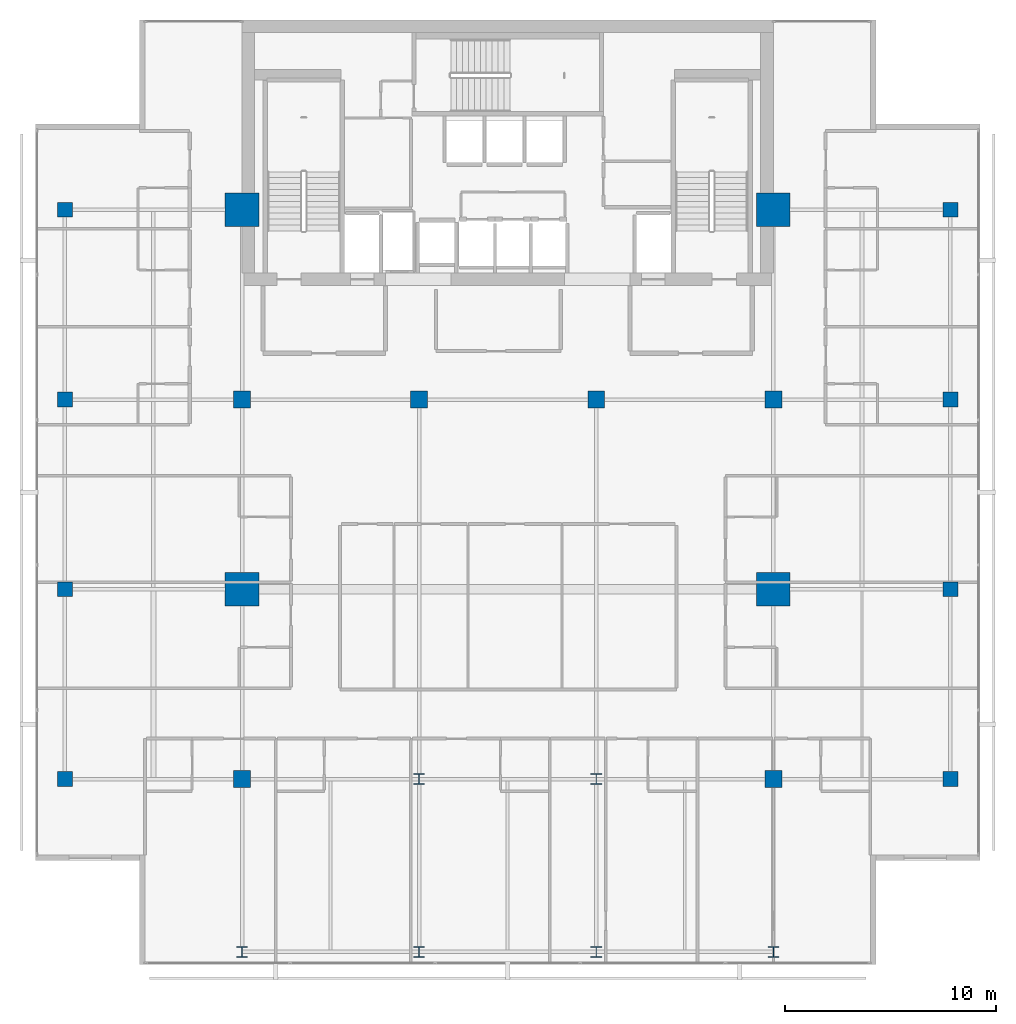
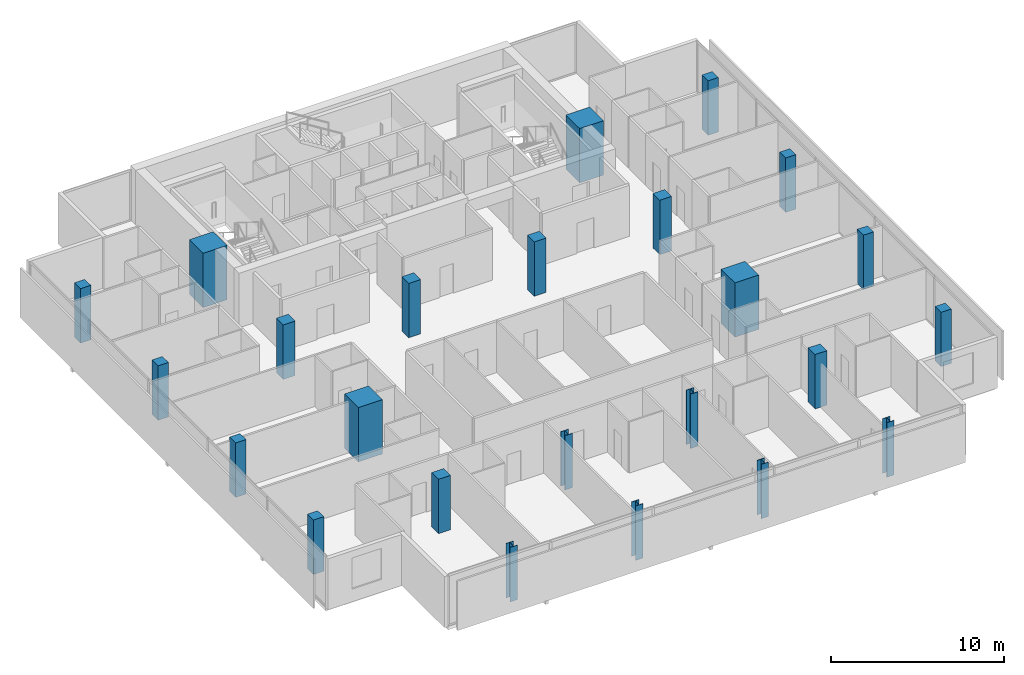
# One storey, part 1 of 26: 24 columns.
"""IFC4 building model written with IfcOpenShell, lengths in metres."""

from ifc_helpers import new_model, si_unit, direction, frame, origin, origin_2d, place, context, subcontext, project, spatial, rectangle, i_section, extrude, material, material_profile, profile_set, type_object, element, save


model = new_model("IFC4")

# Units and contexts
model_context = context("Model", 3, precision=1e-05, world=origin(), true_north=direction((0.0, 1.0)))
body_context = subcontext(model_context, "Body", "Model", "MODEL_VIEW")
ifc_project = project(units=[si_unit("LENGTHUNIT", "METRE"), si_unit("AREAUNIT", "SQUARE_METRE"), si_unit("VOLUMEUNIT", "CUBIC_METRE"), si_unit("PLANEANGLEUNIT", "RADIAN"), si_unit("MASSUNIT", "GRAM", prefix="KILO")], contexts=[model_context])

# Site, building, storey
site_placement = place(None, origin())
site = spatial("IfcSite", under=ifc_project, at=site_placement, CompositionType="ELEMENT")
building_placement = place(site_placement, origin())
building = spatial("IfcBuilding", under=site, at=building_placement, Name="Maruvema Waterfront Hotel and Observation Tower", CompositionType="ELEMENT")
storey_placement = place(building_placement, frame((0.0, 0.0, 293.300048828125)))
storey = spatial("IfcBuildingStorey", under=building, at=storey_placement, Name="L72", CompositionType="ELEMENT", Elevation=293.300048828125)

# Columns
ifc_material_1 = material(Name="Concrete C70/85", Category="concrete")
ifc_material_profile_1 = material_profile(ifc_material_1, rectangle(XDim=1.60009765625, YDim=1.60009765625, at=origin_2d()), Name="MC1600x1600")
ifc_profile_set_1 = profile_set([ifc_material_profile_1], Name="Concrete C70/85")
column_type_1 = type_object("IfcColumnType", Name="Continuous Mega-Column MC1600x1600", PredefinedType="COLUMN", material=ifc_profile_set_1)
for number, where, z_axis, x_axis, name in (
    (1, (25.199951171875, 27.0, 0.0), (0.0, 0.0, 1.0), (1.0, 0.0, 0.0), "L72 Continuous Mega-Column MC-01"),
    (2, (50.39990234375, 27.0, 0.0), (0.0, 0.0, 1.0), (1.0, 0.0, 0.0), "L72 Continuous Mega-Column MC-02"),
    (3, (25.199951171875, 45.0, 0.0), (0.0, 0.0, 1.0), (1.0, 0.0, 0.0), "L72 Continuous Mega-Column MC-03"),
    (4, (50.39990234375, 45.0, 0.0), (0.0, 0.0, 1.0), (1.0, 0.0, 0.0), "L72 Continuous Mega-Column MC-04"),
):
    element("IfcColumn", number, at=place(storey_placement, frame(where, z_axis=z_axis, x_axis=x_axis)), inside=storey, type_object=column_type_1, Name=name, PredefinedType="COLUMN", context=body_context, shape_type="SweptSolid", body=[
        extrude(rectangle(XDim=1.60009765625, YDim=1.60009765625, at=origin_2d()), origin(), (0.0, 0.0, 1.0), 3.849853515625),
    ])
ifc_material_2 = material(Name="Concrete C60/75", Category="concrete")
ifc_material_profile_2 = material_profile(ifc_material_2, rectangle(XDim=0.699951171875, YDim=0.699951171875, at=origin_2d()), Name="RC700x700")
ifc_profile_set_2 = profile_set([ifc_material_profile_2], Name="Concrete C60/75")
column_type_2 = type_object("IfcColumnType", Name="Reinforced Concrete Column RC700x700", PredefinedType="COLUMN", material=ifc_profile_set_2)
for number, where, z_axis, x_axis, name in (
    (5, (16.800048828125, 18.0, 0.0), (0.0, 0.0, 1.0), (1.0, 0.0, 0.0), "L72 Column C-3Y18"),
    (6, (58.800048828125, 18.0, 0.0), (0.0, 0.0, 1.0), (1.0, 0.0, 0.0), "L72 Column C-8Y18"),
    (7, (16.800048828125, 27.0, 0.0), (0.0, 0.0, 1.0), (1.0, 0.0, 0.0), "L72 Column C-3Y27"),
    (8, (58.800048828125, 27.0, 0.0), (0.0, 0.0, 1.0), (1.0, 0.0, 0.0), "L72 Column C-8Y27"),
    (9, (16.800048828125, 36.0, 0.0), (0.0, 0.0, 1.0), (1.0, 0.0, 0.0), "L72 Column C-3Y36"),
    (10, (58.800048828125, 36.0, 0.0), (0.0, 0.0, 1.0), (1.0, 0.0, 0.0), "L72 Column C-8Y36"),
    (11, (16.800048828125, 45.0, 0.0), (0.0, 0.0, 1.0), (1.0, 0.0, 0.0), "L72 Column C-3Y45"),
    (12, (58.800048828125, 45.0, 0.0), (0.0, 0.0, 1.0), (1.0, 0.0, 0.0), "L72 Column C-8Y45"),
):
    element("IfcColumn", number, at=place(storey_placement, frame(where, z_axis=z_axis, x_axis=x_axis)), inside=storey, type_object=column_type_2, Name=name, PredefinedType="COLUMN", context=body_context, shape_type="SweptSolid", body=[
        extrude(rectangle(XDim=0.699951171875, YDim=0.699951171875, at=origin_2d()), origin(), (0.0, 0.0, 1.0), 3.849853515625),
    ])
ifc_material_3 = material(Name="Concrete C60/75", Category="concrete")
ifc_material_profile_3 = material_profile(ifc_material_3, rectangle(XDim=0.800048828125, YDim=0.800048828125, at=origin_2d()), Name="RC800x800")
ifc_profile_set_3 = profile_set([ifc_material_profile_3], Name="Concrete C60/75")
column_type_3 = type_object("IfcColumnType", Name="Reinforced Concrete Column RC800x800", PredefinedType="COLUMN", material=ifc_profile_set_3)
for number, where, z_axis, x_axis, name in (
    (13, (25.199951171875, 36.0, 0.0), (0.0, 0.0, 1.0), (1.0, 0.0, 0.0), "L72 Column C-4E"),
    (14, (33.60009765625, 36.0, 0.0), (0.0, 0.0, 1.0), (1.0, 0.0, 0.0), "L72 Column C-5E"),
    (15, (42.0, 36.0, 0.0), (0.0, 0.0, 1.0), (1.0, 0.0, 0.0), "L72 Column C-6E"),
    (16, (50.39990234375, 36.0, 0.0), (0.0, 0.0, 1.0), (1.0, 0.0, 0.0), "L72 Column C-7E"),
    (17, (25.199951171875, 18.0, 0.0), (0.0, 0.0, 1.0), (1.0, 0.0, 0.0), "L72 Column C-4C"),
    (18, (50.39990234375, 18.0, 0.0), (0.0, 0.0, 1.0), (1.0, 0.0, 0.0), "L72 Column C-7C"),
):
    element("IfcColumn", number, at=place(storey_placement, frame(where, z_axis=z_axis, x_axis=x_axis)), inside=storey, type_object=column_type_3, Name=name, PredefinedType="COLUMN", context=body_context, shape_type="SweptSolid", body=[
        extrude(rectangle(XDim=0.800048828125, YDim=0.800048828125, at=origin_2d()), origin(), (0.0, 0.0, 1.0), 3.849853515625),
    ])
ifc_material_4 = material(Name="Steel ABNT NBR 7007 AR 415 (ASTM A572 Grade 50)", Category="steel")
ifc_material_profile_4 = material_profile(ifc_material_4, i_section(OverallWidth=0.5, OverallDepth=0.5, WebThickness=0.02197265625, FlangeThickness=0.031982421875, at=origin_2d()), Name="CVS500x223")
ifc_profile_set_4 = profile_set([ifc_material_profile_4], Name="Steel ABNT NBR 7007 AR 415 (ASTM A572 Grade 50)")
column_type_4 = type_object("IfcColumnType", Name="Structural Steel Column CVS500x223", PredefinedType="COLUMN", material=ifc_profile_set_4)
for number, where, z_axis, x_axis, name in (
    (19, (33.60009765625, 18.0, 0.0), (0.0, 0.0, 1.0), (1.0, 0.0, 0.0), "L72 Column C-5C"),
    (20, (42.0, 18.0, 0.0), (0.0, 0.0, 1.0), (1.0, 0.0, 0.0), "L72 Column C-6C"),
    (21, (25.199951171875, 9.800048828125, 0.0), (0.0, 0.0, 1.0), (1.0, 0.0, 0.0), "L72 Column C-Z3S4"),
    (22, (33.60009765625, 9.800048828125, 0.0), (0.0, 0.0, 1.0), (1.0, 0.0, 0.0), "L72 Column C-Z3S5"),
    (23, (42.0, 9.800048828125, 0.0), (0.0, 0.0, 1.0), (1.0, 0.0, 0.0), "L72 Column C-Z3S6"),
    (24, (50.39990234375, 9.800048828125, 0.0), (0.0, 0.0, 1.0), (1.0, 0.0, 0.0), "L72 Column C-Z3S7"),
):
    element("IfcColumn", number, at=place(storey_placement, frame(where, z_axis=z_axis, x_axis=x_axis)), inside=storey, type_object=column_type_4, Name=name, PredefinedType="COLUMN", context=body_context, shape_type="SweptSolid", body=[
        extrude(i_section(OverallWidth=0.5, OverallDepth=0.5, WebThickness=0.02197265625, FlangeThickness=0.031982421875, at=origin_2d()), origin(), (0.0, 0.0, 1.0), 3.849853515625),
    ])

save(model, "model.ifc")
